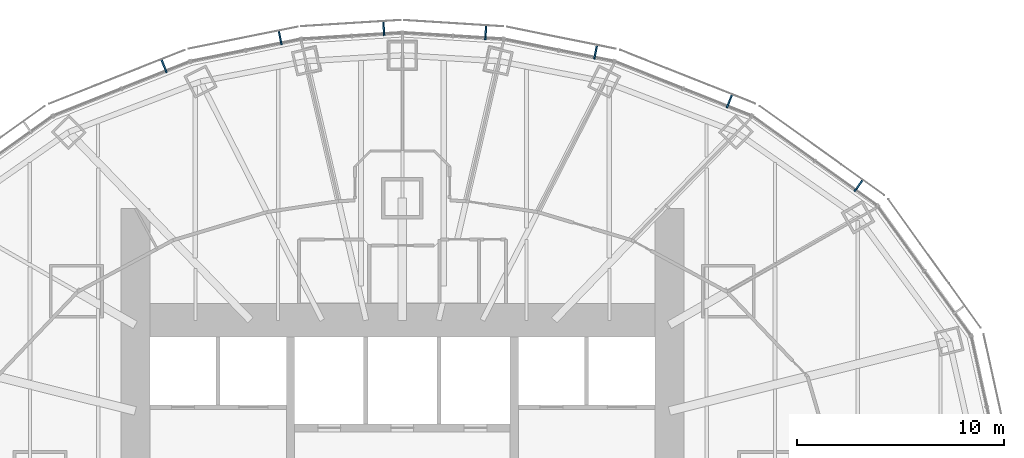
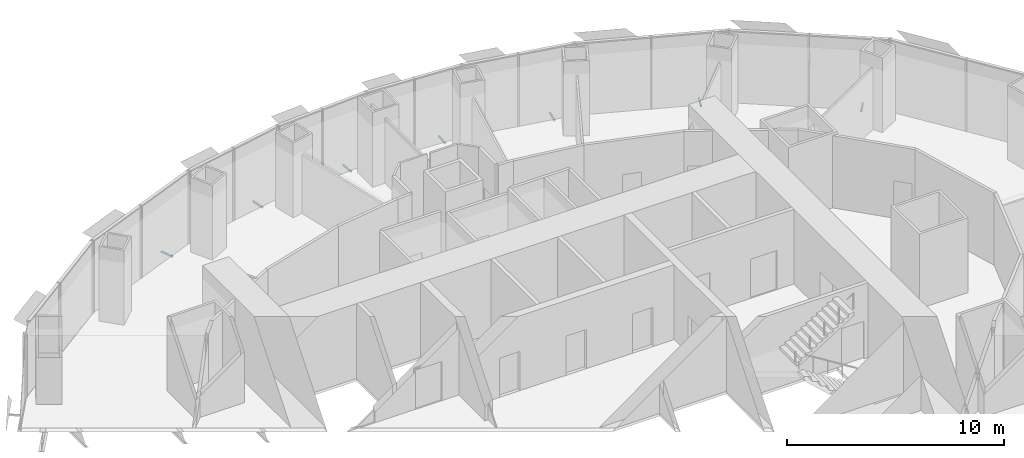
# One storey, part 15 of 18: 7 discrete accessories.
"""IFC4 building model written with IfcOpenShell, lengths in metres."""

from ifc_helpers import new_model, si_unit, direction, frame, origin, origin_2d, place, context, subcontext, project, spatial, rectangle, extrude, element, save


model = new_model("IFC4")

# Units and contexts
model_context = context("Model", 3, precision=1e-05, world=origin(), true_north=direction((0.0, 1.0)))
body_context = subcontext(model_context, "Body", "Model", "MODEL_VIEW")
ifc_project = project(units=[si_unit("LENGTHUNIT", "METRE"), si_unit("AREAUNIT", "SQUARE_METRE"), si_unit("VOLUMEUNIT", "CUBIC_METRE"), si_unit("PLANEANGLEUNIT", "RADIAN"), si_unit("MASSUNIT", "GRAM", prefix="KILO")], contexts=[model_context])

# Site, building, storey
site_placement = place(None, origin())
site = spatial("IfcSite", under=ifc_project, at=site_placement, CompositionType="ELEMENT")
building_placement = place(site_placement, origin())
building = spatial("IfcBuilding", under=site, at=building_placement, Name="Lantaw Convention Tower", CompositionType="ELEMENT")
storey_placement = place(building_placement, frame((0.0, 0.0, 180.39990234375)))
storey = spatial("IfcBuildingStorey", under=building, at=storey_placement, Name="L42", CompositionType="ELEMENT", Elevation=180.39990234375)

# Discrete accessories
for number, where, z_axis, x_axis, name in (
    (1, (22.044189453125, 14.10546875, -0.114990234375), (0.0, 0.0, 1.0), (-0.813208325995, 0.581972695693, 0.0), "Screen bracket"),
    (2, (15.802978515625, 18.18798828125, -0.114990234375), (0.0, 0.0, 1.0), (-0.929547687544, 0.368701907483, 0.0), "Screen bracket"),
    (3, (9.339599609375, 20.56005859375, -0.114990234375), (0.0, 0.0, 1.0), (-0.980301514912, 0.197506809659, 0.0), "Screen bracket"),
    (4, (4.027099609375, 21.505859375, -0.114990234375), (0.0, 0.0, 1.0), (-0.998022035978, 0.062865059466, 0.0), "Screen bracket"),
    (5, (-0.89794921875, 21.702880859375, -0.114990234375), (0.0, 0.0, 1.0), (-0.998022035978, -0.062865059466, 0.0), "Screen bracket"),
    (6, (-5.903076171875, 21.25244140625, -0.114990234375), (0.0, 0.0, 1.0), (-0.980301514912, -0.197506809659, 0.0), "Screen bracket"),
    (7, (-11.517822265625, 19.887939453125, -0.114990234375), (0.0, 0.0, 1.0), (-0.929547687544, -0.368701907483, 0.0), "Screen bracket"),
):
    element("IfcDiscreteAccessory", number, at=place(storey_placement, frame(where, z_axis=z_axis, x_axis=x_axis)), inside=storey, Name=name, PredefinedType="BRACKET", context=body_context, shape_type="SweptSolid", body=[
        extrude(rectangle(XDim=0.080078125, YDim=0.68798828125, at=origin_2d()), origin(), (0.0, 0.0, 1.0), 0.080078125),
    ])

save(model, "model.ifc")
